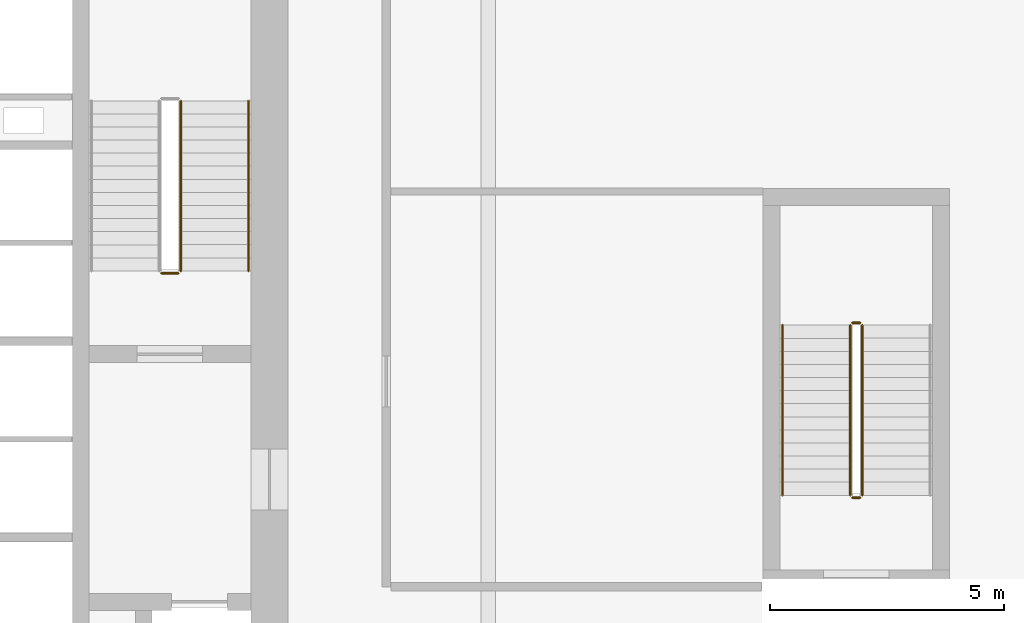
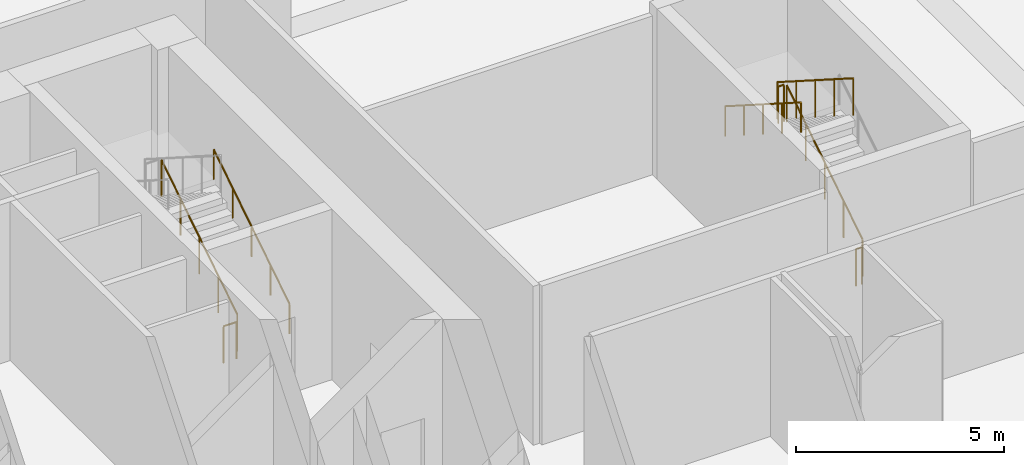
# One storey, part 14 of 17: 8 railings.
"""IFC4 building model written with IfcOpenShell, lengths in metres."""

from ifc_helpers import new_model, si_unit, direction, frame, origin, origin_2d, place, context, subcontext, project, spatial, circle, extrude, source, transform, mapped, material, type_object, element, save


model = new_model("IFC4")

# Units and contexts
model_context = context("Model", 3, precision=1e-05, world=origin(), true_north=direction((0.0, 1.0)))
body_context = subcontext(model_context, "Body", "Model", "MODEL_VIEW")
ifc_project = project(units=[si_unit("LENGTHUNIT", "METRE"), si_unit("AREAUNIT", "SQUARE_METRE"), si_unit("VOLUMEUNIT", "CUBIC_METRE"), si_unit("PLANEANGLEUNIT", "RADIAN"), si_unit("MASSUNIT", "GRAM", prefix="KILO"), si_unit("THERMODYNAMICTEMPERATUREUNIT", "KELVIN")], contexts=[model_context])

# Site, building, storey
site_placement = place(None, origin())
site = spatial("IfcSite", under=ifc_project, at=site_placement, CompositionType="ELEMENT")
building_placement = place(site_placement, origin())
building = spatial("IfcBuilding", under=site, at=building_placement, Name="Kosmvard Interchange Tower", CompositionType="ELEMENT")
storey_placement = place(building_placement, frame((0.0, 0.0, 6.0)))
storey = spatial("IfcBuildingStorey", under=building, at=storey_placement, Name="L01", CompositionType="ELEMENT", Elevation=6.0)

# Railings
ifc_material = material(Name="Steel S355", Category="steel")
railing_type_1 = type_object("IfcRailingType", Name="Stair & Terrace Safety Guardrail 1100 Steel", PredefinedType="GUARDRAIL", material=ifc_material)
shared_shape_1 = source(origin(), body_context, "Body", "SweptSolid", [
    extrude(circle(Radius=0.02392578125, at=origin_2d()), frame((0.0, 0.0, 1.076171875), z_axis=(-1.0, 0.0, 0.0), x_axis=(0.0, -1.0, 0.0)), (0.0, 0.0, 1.0), 0.35986328125),
    extrude(circle(Radius=0.02099609375, at=origin_2d()), origin(), (0.0, 0.0, 1.0), 1.052001953125),
    extrude(circle(Radius=0.02099609375, at=origin_2d()), frame((-0.35986328125, 0.0, 0.0)), (0.0, 0.0, 1.0), 1.052001953125),
])
railing_1_placement = place(storey_placement, frame((6.449951171875, 1.75, 0.0)))
element("IfcRailing", 1, at=railing_1_placement, inside=storey, type_object=railing_type_1, Name="L01 ST-2 stair guard 4", PredefinedType="GUARDRAIL", context=body_context, shape_type="MappedRepresentation", body=[
    mapped(shared_shape_1, transform((0.0, 0.0, 0.0), scale=1.0)),
])
shared_shape_2 = source(origin(), body_context, "Body", "SweptSolid", [
    extrude(circle(Radius=0.02392578125, at=origin_2d()), frame((0.0, 0.0, 1.076171875), z_axis=(0.0, 0.843111507901, 0.53773877045), x_axis=(-1.0, 0.0, 0.0)), (0.0, 0.0, 1.0), 4.317138671875),
    extrude(circle(Radius=0.02099609375, at=origin_2d()), origin(), (0.0, 0.0, 1.0), 1.052001953125),
    extrude(circle(Radius=0.02099609375, at=origin_2d()), frame((0.0, 0.909912109375, 0.580322265625)), (0.0, 0.0, 1.0), 1.052001953125),
    extrude(circle(Radius=0.02099609375, at=origin_2d()), frame((0.0, 1.81982421875, 1.16064453125)), (0.0, 0.0, 1.0), 1.052001953125),
    extrude(circle(Radius=0.02099609375, at=origin_2d()), frame((0.0, 2.72998046875, 1.7412109375)), (0.0, 0.0, 1.0), 1.052001953125),
    extrude(circle(Radius=0.02099609375, at=origin_2d()), frame((0.0, 3.639892578125, 2.321533203125)), (0.0, 0.0, 1.0), 1.052001953125),
])
for number, where, name in (
    (2, (6.5, 1.800048828125, 0.178466796875), "L01 ST-2 stair guard 1"),
    (3, (21.080078125, -3.0, 0.178466796875), "L01 ST-4 stair guard 1"),
):
    element("IfcRailing", number, at=place(storey_placement, frame(where)), inside=storey, type_object=railing_type_1, Name=name, PredefinedType="GUARDRAIL", context=body_context, shape_type="MappedRepresentation", body=[
        mapped(shared_shape_2, transform((0.0, 0.0, 0.0), scale=1.0)),
    ])
shared_shape_3 = source(origin(), body_context, "Body", "SweptSolid", [
    extrude(circle(Radius=0.02392578125, at=origin_2d()), frame((0.0, 0.0, 1.076171875), z_axis=(0.0, -0.843111507901, 0.53773877045), x_axis=(1.0, 0.0, 0.0)), (0.0, 0.0, 1.0), 4.317138671875),
    extrude(circle(Radius=0.02099609375, at=origin_2d()), origin(), (0.0, 0.0, 1.0), 1.052001953125),
    extrude(circle(Radius=0.02099609375, at=origin_2d()), frame((0.0, -0.909912109375, 0.580322265625)), (0.0, 0.0, 1.0), 1.052001953125),
    extrude(circle(Radius=0.02099609375, at=origin_2d()), frame((0.0, -1.81982421875, 1.16064453125)), (0.0, 0.0, 1.0), 1.052001953125),
    extrude(circle(Radius=0.02099609375, at=origin_2d()), frame((0.0, -2.72998046875, 1.7412109375)), (0.0, 0.0, 1.0), 1.052001953125),
    extrude(circle(Radius=0.02099609375, at=origin_2d()), frame((0.0, -3.639892578125, 2.321533203125)), (0.0, 0.0, 1.0), 1.052001953125),
])
railing_2_placement = place(storey_placement, frame((20.820068359375, 0.639892578125, 2.678466796875)))
element("IfcRailing", 4, at=railing_2_placement, inside=storey, type_object=railing_type_1, Name="L01 ST-4 stair guard 3", PredefinedType="GUARDRAIL", context=body_context, shape_type="MappedRepresentation", body=[
    mapped(shared_shape_3, transform((0.0, 0.0, 0.0), scale=1.0)),
])
railing_type_2 = type_object("IfcRailingType", Name="Wall-Mounted Stair Handrail 900 Steel", PredefinedType="HANDRAIL", material=ifc_material)
shared_shape_4 = source(origin(), body_context, "Body", "SweptSolid", [
    extrude(circle(Radius=0.02392578125, at=origin_2d()), frame((0.0, 0.0, 0.8759765625), z_axis=(0.0, 0.843111507901, 0.53773877045), x_axis=(-1.0, 0.0, 0.0)), (0.0, 0.0, 1.0), 4.317138671875),
    extrude(circle(Radius=0.02099609375, at=origin_2d()), origin(), (0.0, 0.0, 1.0), 0.851806640625),
    extrude(circle(Radius=0.02099609375, at=origin_2d()), frame((0.0, 0.909912109375, 0.580322265625)), (0.0, 0.0, 1.0), 0.851806640625),
    extrude(circle(Radius=0.02099609375, at=origin_2d()), frame((0.0, 1.81982421875, 1.16064453125)), (0.0, 0.0, 1.0), 0.851806640625),
    extrude(circle(Radius=0.02099609375, at=origin_2d()), frame((0.0, 2.72998046875, 1.7412109375)), (0.0, 0.0, 1.0), 0.851806640625),
    extrude(circle(Radius=0.02099609375, at=origin_2d()), frame((0.0, 3.639892578125, 2.321533203125)), (0.0, 0.0, 1.0), 0.851806640625),
])
railing_3_placement = place(storey_placement, frame((7.949951171875, 1.800048828125, 0.178466796875)))
element("IfcRailing", 5, at=railing_3_placement, inside=storey, type_object=railing_type_2, Name="L01 ST-2 stair handrail 1", PredefinedType="HANDRAIL", context=body_context, shape_type="MappedRepresentation", body=[
    mapped(shared_shape_4, transform((0.0, 0.0, 0.0), scale=1.0)),
])
shared_shape_5 = source(origin(), body_context, "Body", "SweptSolid", [
    extrude(circle(Radius=0.02392578125, at=origin_2d()), frame((0.0, 0.0, 0.8759765625), z_axis=(0.0, -0.843111507901, 0.53773877045), x_axis=(1.0, 0.0, 0.0)), (0.0, 0.0, 1.0), 4.317138671875),
    extrude(circle(Radius=0.02099609375, at=origin_2d()), origin(), (0.0, 0.0, 1.0), 0.851806640625),
    extrude(circle(Radius=0.02099609375, at=origin_2d()), frame((0.0, -0.909912109375, 0.580322265625)), (0.0, 0.0, 1.0), 0.851806640625),
    extrude(circle(Radius=0.02099609375, at=origin_2d()), frame((0.0, -1.81982421875, 1.16064453125)), (0.0, 0.0, 1.0), 0.851806640625),
    extrude(circle(Radius=0.02099609375, at=origin_2d()), frame((0.0, -2.72998046875, 1.7412109375)), (0.0, 0.0, 1.0), 0.851806640625),
    extrude(circle(Radius=0.02099609375, at=origin_2d()), frame((0.0, -3.639892578125, 2.321533203125)), (0.0, 0.0, 1.0), 0.851806640625),
])
railing_4_placement = place(storey_placement, frame((19.3701171875, 0.639892578125, 2.678466796875)))
element("IfcRailing", 6, at=railing_4_placement, inside=storey, type_object=railing_type_2, Name="L01 ST-4 stair handrail 2", PredefinedType="HANDRAIL", context=body_context, shape_type="MappedRepresentation", body=[
    mapped(shared_shape_5, transform((0.0, 0.0, 0.0), scale=1.0)),
])
shared_shape_6 = source(origin(), body_context, "Body", "SweptSolid", [
    extrude(circle(Radius=0.02392578125, at=origin_2d()), frame((0.0, 0.0, 1.076171875), z_axis=(-1.0, 0.0, 0.0), x_axis=(0.0, -1.0, 0.0)), (0.0, 0.0, 1.0), 0.159912109375),
    extrude(circle(Radius=0.02099609375, at=origin_2d()), origin(), (0.0, 0.0, 1.0), 1.052001953125),
    extrude(circle(Radius=0.02099609375, at=origin_2d()), frame((-0.159912109375, 0.0, 0.0)), (0.0, 0.0, 1.0), 1.052001953125),
])
for number, where, name in (
    (7, (21.030029296875, 0.68994140625, 2.5), "L01 ST-4 stair guard 2"),
    (8, (21.030029296875, -3.050048828125, 0.0), "L01 ST-4 stair guard 4"),
):
    element("IfcRailing", number, at=place(storey_placement, frame(where)), inside=storey, type_object=railing_type_1, Name=name, PredefinedType="GUARDRAIL", context=body_context, shape_type="MappedRepresentation", body=[
        mapped(shared_shape_6, transform((0.0, 0.0, 0.0), scale=1.0)),
    ])

save(model, "model.ifc")
